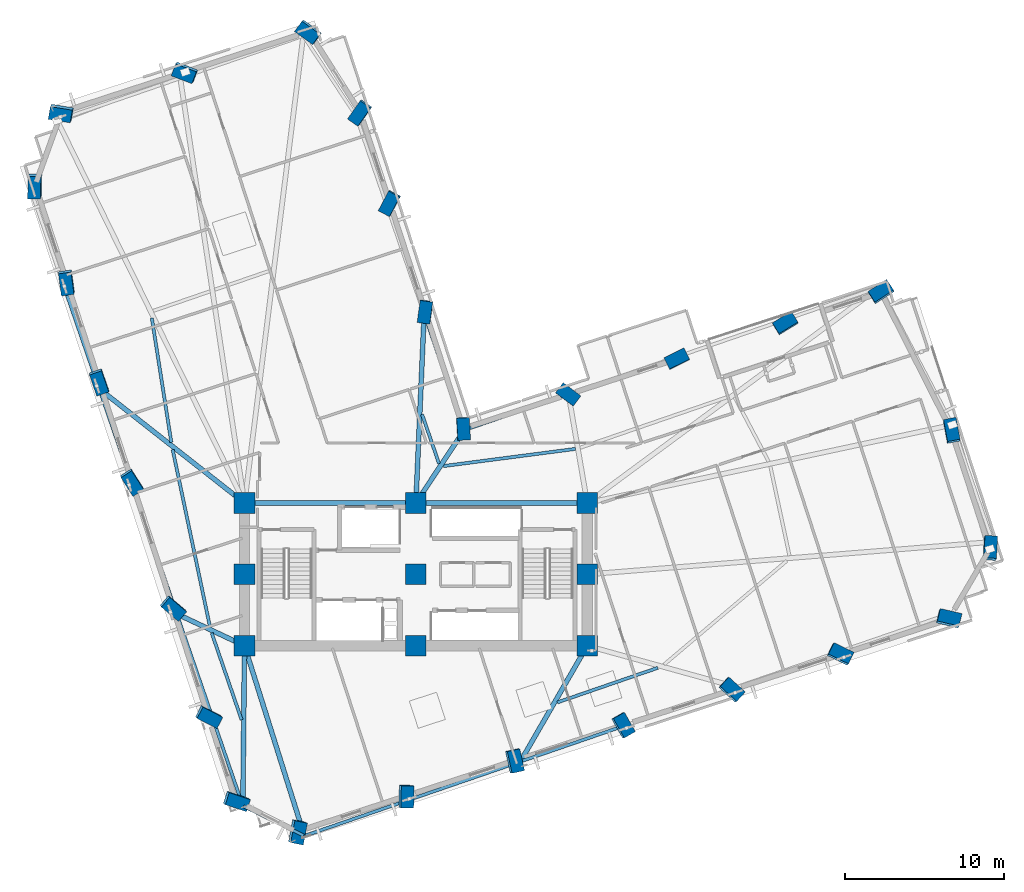
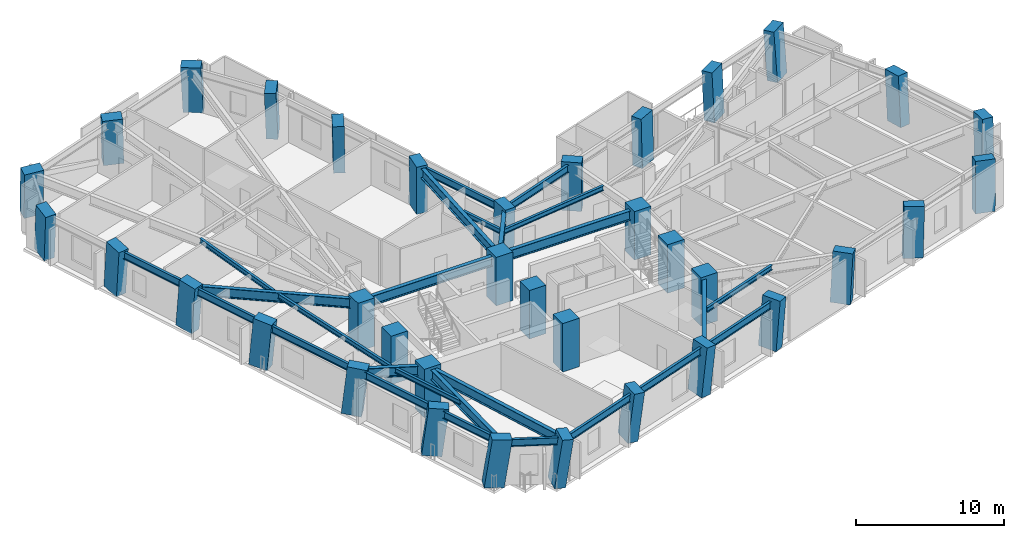
# One storey, part 1 of 16: 36 columns, 26 beams.
"""IFC4 building model written with IfcOpenShell, lengths in metres."""

from ifc_helpers import new_model, si_unit, direction, frame, origin, origin_2d, place, context, subcontext, project, spatial, rectangle, i_section, extrude, material, material_profile, profile_set, type_object, element, save


model = new_model("IFC4")

# Units and contexts
model_context = context("Model", 3, precision=1e-05, world=origin(), true_north=direction((0.0, 1.0)))
body_context = subcontext(model_context, "Body", "Model", "MODEL_VIEW")
ifc_project = project(units=[si_unit("LENGTHUNIT", "METRE"), si_unit("AREAUNIT", "SQUARE_METRE"), si_unit("VOLUMEUNIT", "CUBIC_METRE"), si_unit("PLANEANGLEUNIT", "RADIAN"), si_unit("MASSUNIT", "GRAM", prefix="KILO")], contexts=[model_context])

# Site, building, storey
site_placement = place(None, origin())
site = spatial("IfcSite", under=ifc_project, at=site_placement, CompositionType="ELEMENT")
building_placement = place(site_placement, origin())
building = spatial("IfcBuilding", under=site, at=building_placement, Name="Gaonmaruhae Medical Tower", CompositionType="ELEMENT")
storey_placement = place(building_placement, frame((0.0, 0.0, 100.39990234375)))
storey = spatial("IfcBuildingStorey", under=building, at=storey_placement, Name="L23", CompositionType="ELEMENT", Elevation=100.39990234375)

# Columns
ifc_material_1 = material(Name="Concrete C60/75", Category="concrete")
ifc_material_profile_1 = material_profile(ifc_material_1, rectangle(XDim=1.300048828125, YDim=1.300048828125, at=origin_2d()), Name="RC-1300x1300")
ifc_profile_set_1 = profile_set([ifc_material_profile_1], Name="Concrete C60/75")
column_type_1 = type_object("IfcColumnType", Name="CC-03 Zone 2 Core Column (RC-1300x1300)", PredefinedType="COLUMN", material=ifc_profile_set_1)
for number, where, z_axis, x_axis, name in (
    (1, (14.0, 7.800048828125, 0.0), (0.0, 0.0, 1.0), (1.0, 0.0, 0.0), "L23 Plumb Core Column CC11"),
    (2, (14.0, 12.300048828125, 0.0), (0.0, 0.0, 1.0), (1.0, 0.0, 0.0), "L23 Plumb Core Column CC12"),
    (3, (14.0, 16.800048828125, 0.0), (0.0, 0.0, 1.0), (1.0, 0.0, 0.0), "L23 Plumb Core Column CC13"),
    (4, (24.800048828125, 7.800048828125, 0.0), (0.0, 0.0, 1.0), (1.0, 0.0, 0.0), "L23 Plumb Core Column CC21"),
    (5, (24.800048828125, 12.300048828125, 0.0), (0.0, 0.0, 1.0), (1.0, 0.0, 0.0), "L23 Plumb Core Column CC22"),
    (6, (24.800048828125, 16.800048828125, 0.0), (0.0, 0.0, 1.0), (1.0, 0.0, 0.0), "L23 Plumb Core Column CC23"),
    (7, (35.60009765625, 7.800048828125, 0.0), (0.0, 0.0, 1.0), (1.0, 0.0, 0.0), "L23 Plumb Core Column CC31"),
    (8, (35.60009765625, 12.300048828125, 0.0), (0.0, 0.0, 1.0), (1.0, 0.0, 0.0), "L23 Plumb Core Column CC32"),
    (9, (35.60009765625, 16.800048828125, 0.0), (0.0, 0.0, 1.0), (1.0, 0.0, 0.0), "L23 Plumb Core Column CC33"),
):
    element("IfcColumn", number, at=place(storey_placement, frame(where, z_axis=z_axis, x_axis=x_axis)), inside=storey, type_object=column_type_1, Name=name, PredefinedType="COLUMN", context=body_context, shape_type="SweptSolid", body=[
        extrude(rectangle(XDim=1.300048828125, YDim=1.300048828125, at=origin_2d()), origin(), (0.0, 0.0, 1.0), 4.0),
    ])
ifc_material_profile_2 = material_profile(ifc_material_1, rectangle(XDim=1.39990234375, YDim=0.800048828125, at=origin_2d()), Name="RC-1400x800")
ifc_profile_set_2 = profile_set([ifc_material_profile_2], Name="Concrete C60/75")
column_type_2 = type_object("IfcColumnType", Name="TC-02 Mid Raking Tube Pier Column (RC-1400x800)", PredefinedType="COLUMN", material=ifc_profile_set_2)
column_1_placement = place(storey_placement, frame((17.295166015625, -3.915283203125, 0.001953125), z_axis=(0.118450775207, -0.066034642694, 0.990761747252), x_axis=(0.194834641079, 0.979935619434, 0.042019571642)))
element("IfcColumn", 10, at=column_1_placement, inside=storey, type_object=column_type_2, Name="L23 Perimeter Tube Column S01", PredefinedType="COLUMN", context=body_context, shape_type="SweptSolid", body=[
    extrude(rectangle(XDim=1.39990234375, YDim=0.800048828125, at=origin_2d()), origin(), (0.0, 0.0, 1.0), 4.03369140625),
])
column_2_placement = place(storey_placement, frame((24.140869140625, -1.684326171875, 0.001953125), z_axis=(0.109345849117, -0.038046530187, 0.99327536304), x_axis=(0.021779112876, 0.999119018605, 0.035872787786)))
element("IfcColumn", 11, at=column_2_placement, inside=storey, type_object=column_type_2, Name="L23 Perimeter Tube Column S02", PredefinedType="COLUMN", context=body_context, shape_type="SweptSolid", body=[
    extrude(rectangle(XDim=1.39990234375, YDim=0.800048828125, at=origin_2d()), origin(), (0.0, 0.0, 1.0), 4.0234375),
])
column_3_placement = place(storey_placement, frame((30.986328125, 0.546630859375, 0.001953125), z_axis=(0.100106568416, -0.00996811003, 0.994926787127), x_axis=(-0.212549228586, 0.976653054141, 0.031171096607)))
element("IfcColumn", 12, at=column_3_placement, inside=storey, type_object=column_type_2, Name="L23 Perimeter Tube Column S03", PredefinedType="COLUMN", context=body_context, shape_type="SweptSolid", body=[
    extrude(rectangle(XDim=1.39990234375, YDim=0.800048828125, at=origin_2d()), origin(), (0.0, 0.0, 1.0), 4.0166015625),
])
column_4_placement = place(storey_placement, frame((37.83203125, 2.77734375, 0.001953125), z_axis=(0.090756503564, 0.018248626722, 0.995705902706), x_axis=(-0.489888231035, 0.871313250925, 0.028683442203)))
element("IfcColumn", 13, at=column_4_placement, inside=storey, type_object=column_type_2, Name="L23 Perimeter Tube Column S04", PredefinedType="COLUMN", context=body_context, shape_type="SweptSolid", body=[
    extrude(rectangle(XDim=1.39990234375, YDim=0.800048828125, at=origin_2d()), origin(), (0.0, 0.0, 1.0), 4.013671875),
])
column_5_placement = place(storey_placement, frame((44.677734375, 5.00830078125, 0.001953125), z_axis=(0.081259550756, 0.046407961996, 0.995611965815), x_axis=(-0.739401442167, 0.672640177904, 0.028994799376)))
element("IfcColumn", 14, at=column_5_placement, inside=storey, type_object=column_type_2, Name="L23 Perimeter Tube Column S05", PredefinedType="COLUMN", context=body_context, shape_type="SweptSolid", body=[
    extrude(rectangle(XDim=1.39990234375, YDim=0.800048828125, at=origin_2d()), origin(), (0.0, 0.0, 1.0), 4.013916015625),
])
column_6_placement = place(storey_placement, frame((51.5234375, 7.2392578125, 0.001953125), z_axis=(0.071761563641, 0.074495916193, 0.994635931612), x_axis=(-0.898565105275, 0.437668320266, 0.032049852079)))
element("IfcColumn", 15, at=column_6_placement, inside=storey, type_object=column_type_2, Name="L23 Perimeter Tube Column S06", PredefinedType="COLUMN", context=body_context, shape_type="SweptSolid", body=[
    extrude(rectangle(XDim=1.39990234375, YDim=0.800048828125, at=origin_2d()), origin(), (0.0, 0.0, 1.0), 4.017822265625),
])
column_7_placement = place(storey_placement, frame((58.368896484375, 9.47021484375, 0.001953125), z_axis=(0.062287627487, 0.102498627511, 0.992781085044), x_axis=(-0.972270727829, 0.230886401059, 0.037163175496)))
element("IfcColumn", 16, at=column_7_placement, inside=storey, type_object=column_type_2, Name="L23 Perimeter Tube Column S07", PredefinedType="COLUMN", context=body_context, shape_type="SweptSolid", body=[
    extrude(rectangle(XDim=1.39990234375, YDim=0.800048828125, at=origin_2d()), origin(), (0.0, 0.0, 1.0), 4.025390625),
])
column_8_placement = place(storey_placement, frame((60.97607421875, 13.89599609375, 0.001953125), z_axis=(0.043903862895, 0.112973614052, 0.992627530019), x_axis=(-0.053058431268, -0.991919647374, 0.115239819616)))
element("IfcColumn", 17, at=column_8_placement, inside=storey, type_object=column_type_2, Name="L23 Perimeter Tube Column E01", PredefinedType="COLUMN", context=body_context, shape_type="SweptSolid", body=[
    extrude(rectangle(XDim=1.39990234375, YDim=0.800048828125, at=origin_2d()), origin(), (0.0, 0.0, 1.0), 4.026123046875),
])
column_9_placement = place(storey_placement, frame((58.55908203125, 21.31201171875, 0.001953125), z_axis=(0.013549612723, 0.102989208816, 0.994590182368), x_axis=(0.183850511689, -0.977979831198, 0.098764564101)))
element("IfcColumn", 18, at=column_9_placement, inside=storey, type_object=column_type_2, Name="L23 Perimeter Tube Column E02", PredefinedType="COLUMN", context=body_context, shape_type="SweptSolid", body=[
    extrude(rectangle(XDim=1.39990234375, YDim=0.800048828125, at=origin_2d()), origin(), (0.0, 0.0, 1.0), 4.01806640625),
])
column_10_placement = place(storey_placement, frame((54.12744140625, 30.06982421875, 0.001953125), z_axis=(-0.02245610829, 0.084590760225, 0.99616270081), x_axis=(-0.839761275126, -0.542278170496, 0.027118012491)))
element("IfcColumn", 19, at=column_10_placement, inside=storey, type_object=column_type_2, Name="L23 Perimeter Tube Column E03", PredefinedType="COLUMN", context=body_context, shape_type="SweptSolid", body=[
    extrude(rectangle(XDim=1.39990234375, YDim=0.800048828125, at=origin_2d()), origin(), (0.0, 0.0, 1.0), 4.01171875),
])
column_11_placement = place(storey_placement, frame((48.08984375, 28.102294921875, 0.001953125), z_axis=(-0.014146332364, 0.059817034695, 0.998109114096), x_axis=(-0.854089030519, -0.519778031459, 0.019045365861)))
element("IfcColumn", 20, at=column_11_placement, inside=storey, type_object=column_type_2, Name="L23 Perimeter Tube Column EN01", PredefinedType="COLUMN", context=body_context, shape_type="SweptSolid", body=[
    extrude(rectangle(XDim=1.39990234375, YDim=0.800048828125, at=origin_2d()), origin(), (0.0, 0.0, 1.0), 4.00390625),
])
column_12_placement = place(storey_placement, frame((41.244384765625, 25.871337890625, 0.001953125), z_axis=(-0.004701608145, 0.03162900025, 0.999488619857), x_axis=(-0.894918501832, -0.446119614033, 0.009907827933)))
element("IfcColumn", 21, at=column_12_placement, inside=storey, type_object=column_type_2, Name="L23 Perimeter Tube Column EN02", PredefinedType="COLUMN", context=body_context, shape_type="SweptSolid", body=[
    extrude(rectangle(XDim=1.39990234375, YDim=0.800048828125, at=origin_2d()), origin(), (0.0, 0.0, 1.0), 3.998291015625),
])
column_13_placement = place(storey_placement, frame((34.398681640625, 23.640380859375, 0.001953125), z_axis=(0.004765023776, 0.003359952663, 0.999983002489), x_axis=(-0.801131940554, 0.598485045893, 0.001806562028)))
element("IfcColumn", 22, at=column_13_placement, inside=storey, type_object=column_type_2, Name="L23 Perimeter Tube Column EN03", PredefinedType="COLUMN", context=body_context, shape_type="SweptSolid", body=[
    extrude(rectangle(XDim=1.39990234375, YDim=0.800048828125, at=origin_2d()), origin(), (0.0, 0.0, 1.0), 3.996337890625),
])
column_14_placement = place(storey_placement, frame((27.790771484375, 21.48681640625, 0.001953125), z_axis=(0.013923425681, -0.023938521346, 0.999616469159), x_axis=(-0.056236528656, 0.998112250156, 0.0246858043)))
element("IfcColumn", 23, at=column_14_placement, inside=storey, type_object=column_type_2, Name="L23 Perimeter Tube Column KN01", PredefinedType="COLUMN", context=body_context, shape_type="SweptSolid", body=[
    extrude(rectangle(XDim=1.39990234375, YDim=0.800048828125, at=origin_2d()), origin(), (0.0, 0.0, 1.0), 3.997802734375),
])
column_15_placement = place(storey_placement, frame((25.389404296875, 28.85546875, 0.001953125), z_axis=(-0.016543774751, -0.034125350869, 0.999280623221), x_axis=(0.135656548202, 0.99009956207, 0.036057705404)))
element("IfcColumn", 24, at=column_15_placement, inside=storey, type_object=column_type_2, Name="L23 Perimeter Tube Column NE01", PredefinedType="COLUMN", context=body_context, shape_type="SweptSolid", body=[
    extrude(rectangle(XDim=1.39990234375, YDim=0.800048828125, at=origin_2d()), origin(), (0.0, 0.0, 1.0), 3.999267578125),
])
column_16_placement = place(storey_placement, frame((23.158447265625, 35.701171875, 0.001953125), z_axis=(-0.044753257144, -0.043594794084, 0.998046411698), x_axis=(0.463530801187, 0.884087426993, 0.059402169856)))
element("IfcColumn", 25, at=column_16_placement, inside=storey, type_object=column_type_2, Name="L23 Perimeter Tube Column NE02", PredefinedType="COLUMN", context=body_context, shape_type="SweptSolid", body=[
    extrude(rectangle(XDim=1.39990234375, YDim=0.800048828125, at=origin_2d()), origin(), (0.0, 0.0, 1.0), 4.004150390625),
])
column_17_placement = place(storey_placement, frame((21.29931640625, 41.40576171875, 0.001953125), z_axis=(-0.068172279111, -0.051372681759, 0.996350032835), x_axis=(0.570080774616, 0.817570088713, 0.081160707584)))
element("IfcColumn", 26, at=column_17_placement, inside=storey, type_object=column_type_2, Name="L23 Perimeter Tube Column NE03", PredefinedType="COLUMN", context=body_context, shape_type="SweptSolid", body=[
    extrude(rectangle(XDim=1.39990234375, YDim=0.800048828125, at=origin_2d()), origin(), (0.0, 0.0, 1.0), 4.010986328125),
])
column_18_placement = place(storey_placement, frame((18.060302734375, 46.503173828125, 0.001953125), z_axis=(-0.088834375416, -0.064788980566, 0.993937041136), x_axis=(0.809077584875, -0.586713593939, 0.034067878425)))
element("IfcColumn", 27, at=column_18_placement, inside=storey, type_object=column_type_2, Name="L23 Perimeter Tube Column N01", PredefinedType="COLUMN", context=body_context, shape_type="SweptSolid", body=[
    extrude(rectangle(XDim=1.39990234375, YDim=0.800048828125, at=origin_2d()), origin(), (0.0, 0.0, 1.0), 4.020751953125),
])
column_19_placement = place(storey_placement, frame((10.263916015625, 43.96240234375, 0.001953125), z_axis=(-0.078015566554, -0.096625340394, 0.992258592792), x_axis=(0.932899829968, -0.358074339032, 0.038479539664)))
element("IfcColumn", 28, at=column_19_placement, inside=storey, type_object=column_type_2, Name="L23 Perimeter Tube Column N02", PredefinedType="COLUMN", context=body_context, shape_type="SweptSolid", body=[
    extrude(rectangle(XDim=1.39990234375, YDim=0.800048828125, at=origin_2d()), origin(), (0.0, 0.0, 1.0), 4.027587890625),
])
column_20_placement = place(storey_placement, frame((2.467529296875, 41.421630859375, 0.001953125), z_axis=(-0.067096849195, -0.128269832425, 0.989466958982), x_axis=(0.984588836811, -0.169035568075, 0.044853084086)))
element("IfcColumn", 29, at=column_20_placement, inside=storey, type_object=column_type_2, Name="L23 Perimeter Tube Column N03", PredefinedType="COLUMN", context=body_context, shape_type="SweptSolid", body=[
    extrude(rectangle(XDim=1.39990234375, YDim=0.800048828125, at=origin_2d()), origin(), (0.0, 0.0, 1.0), 4.038818359375),
])
column_21_placement = place(storey_placement, frame((0.80810546875, 36.83154296875, 0.001953125), z_axis=(-0.048247451694, -0.134947759625, 0.989677364386), x_axis=(0.025024599325, 0.990356943468, 0.136260390255)))
element("IfcColumn", 30, at=column_21_placement, inside=storey, type_object=column_type_2, Name="L23 Perimeter Tube Column W01", PredefinedType="COLUMN", context=body_context, shape_type="SweptSolid", body=[
    extrude(rectangle(XDim=1.39990234375, YDim=0.800048828125, at=origin_2d()), origin(), (0.0, 0.0, 1.0), 4.0380859375),
])
column_22_placement = place(storey_placement, frame((2.791259765625, 30.746337890625, 0.001953125), z_axis=(-0.0233843297, -0.126796378401, 0.991653090324), x_axis=(-0.133707501978, 0.983409455822, 0.122589339317)))
element("IfcColumn", 31, at=column_22_placement, inside=storey, type_object=column_type_2, Name="L23 Perimeter Tube Column W02", PredefinedType="COLUMN", context=body_context, shape_type="SweptSolid", body=[
    extrude(rectangle(XDim=1.39990234375, YDim=0.800048828125, at=origin_2d()), origin(), (0.0, 0.0, 1.0), 4.030029296875),
])
column_23_placement = place(storey_placement, frame((4.836181640625, 24.47119140625, 0.001953125), z_axis=(0.002365800756, -0.118350699345, 0.992969040278), x_axis=(-0.328653525962, 0.937720451022, 0.112548725485)))
element("IfcColumn", 32, at=column_23_placement, inside=storey, type_object=column_type_2, Name="L23 Perimeter Tube Column W03", PredefinedType="COLUMN", context=body_context, shape_type="SweptSolid", body=[
    extrude(rectangle(XDim=1.39990234375, YDim=0.800048828125, at=origin_2d()), origin(), (0.0, 0.0, 1.0), 4.024658203125),
])
column_24_placement = place(storey_placement, frame((6.896728515625, 18.1484375, 0.001953125), z_axis=(0.028285043341, -0.109741112361, 0.993557670486), x_axis=(-0.535815583554, 0.837431497427, 0.107750394605)))
element("IfcColumn", 33, at=column_24_placement, inside=storey, type_object=column_type_2, Name="L23 Perimeter Tube Column W04", PredefinedType="COLUMN", context=body_context, shape_type="SweptSolid", body=[
    extrude(rectangle(XDim=1.39990234375, YDim=0.800048828125, at=origin_2d()), origin(), (0.0, 0.0, 1.0), 4.022216796875),
])
column_25_placement = place(storey_placement, frame((9.484130859375, 10.20947265625, 0.001953125), z_axis=(0.060860512795, -0.098784561146, 0.993245995945), x_axis=(-0.75915259844, 0.641496218558, 0.110317423181)))
element("IfcColumn", 34, at=column_25_placement, inside=storey, type_object=column_type_2, Name="L23 Perimeter Tube Column W05", PredefinedType="COLUMN", context=body_context, shape_type="SweptSolid", body=[
    extrude(rectangle(XDim=1.39990234375, YDim=0.800048828125, at=origin_2d()), origin(), (0.0, 0.0, 1.0), 4.0234375),
])
column_26_placement = place(storey_placement, frame((11.715087890625, 3.36376953125, 0.001953125), z_axis=(0.088846356151, -0.089270588411, 0.992036837544), x_axis=(-0.884979467784, 0.4499681639, 0.119749710135)))
element("IfcColumn", 35, at=column_26_placement, inside=storey, type_object=column_type_2, Name="L23 Perimeter Tube Column W06", PredefinedType="COLUMN", context=body_context, shape_type="SweptSolid", body=[
    extrude(rectangle(XDim=1.39990234375, YDim=0.800048828125, at=origin_2d()), origin(), (0.0, 0.0, 1.0), 4.0283203125),
])
column_27_placement = place(storey_placement, frame((13.4501953125, -1.96044921875, 0.001953125), z_axis=(0.110552253657, -0.081870388176, 0.990492523319), x_axis=(-0.941213572528, 0.311463165143, 0.130796435912)))
element("IfcColumn", 36, at=column_27_placement, inside=storey, type_object=column_type_2, Name="L23 Perimeter Tube Column W07", PredefinedType="COLUMN", context=body_context, shape_type="SweptSolid", body=[
    extrude(rectangle(XDim=1.39990234375, YDim=0.800048828125, at=origin_2d()), origin(), (0.0, 0.0, 1.0), 4.03466796875),
])

# Beams
ifc_material_2 = material(Name="Steel SM355", Category="steel")
ifc_material_profile_3 = material_profile(ifc_material_2, i_section(OverallWidth=0.199951171875, OverallDepth=0.39990234375, WebThickness=0.008056640625, FlangeThickness=0.012939453125, FilletRadius=0.012939453125, at=origin_2d()), Name="H-400x200x8x13")
ifc_profile_set_3 = profile_set([ifc_material_profile_3], Name="Steel SM355")
beam_type_1 = type_object("IfcBeamType", Name="FJ-01 Lower Zone Ward Floor Joist (H-400x200x8x13)", PredefinedType="JOIST", material=ifc_profile_set_3)
beam_1_placement = place(storey_placement, frame((33.716064453125, 4.229736328125, 3.580078125), z_axis=(0.94552286425, 0.325555699046, 0.0), x_axis=(-0.325555699046, 0.94552286425, 0.0)))
element("IfcBeam", 37, at=beam_1_placement, inside=storey, type_object=beam_type_1, Name="L23 Secondary Floor Joist FJ02", PredefinedType="JOIST", context=body_context, shape_type="SweptSolid", body=[
    extrude(i_section(OverallWidth=0.199951171875, OverallDepth=0.39990234375, WebThickness=0.008056640625, FlangeThickness=0.012939453125, FilletRadius=0.012939453125, at=origin_2d()), origin(), (0.0, 0.0, 1.0), 6.694580078125),
])
beam_2_placement = place(storey_placement, frame((34.85400390625, 20.206787109375, 3.580078125), z_axis=(-0.99162373789, -0.129160220089, 0.0), x_axis=(0.129160220089, -0.99162373789, 0.0)))
element("IfcBeam", 38, at=beam_2_placement, inside=storey, type_object=beam_type_1, Name="L23 Secondary Floor Joist FJ07", PredefinedType="JOIST", context=body_context, shape_type="SweptSolid", body=[
    extrude(i_section(OverallWidth=0.199951171875, OverallDepth=0.39990234375, WebThickness=0.008056640625, FlangeThickness=0.012939453125, FilletRadius=0.012939453125, at=origin_2d()), origin(), (0.0, 0.0, 1.0), 8.398193359375),
])
beam_3_placement = place(storey_placement, frame((26.259765625, 19.27978515625, 3.580078125), z_axis=(-0.325547854259, 0.945525565274, 0.0), x_axis=(-0.945525565274, -0.325547854259, 0.0)))
element("IfcBeam", 39, at=beam_3_placement, inside=storey, type_object=beam_type_1, Name="L23 Secondary Floor Joist FJ08", PredefinedType="JOIST", context=body_context, shape_type="SweptSolid", body=[
    extrude(i_section(OverallWidth=0.199951171875, OverallDepth=0.39990234375, WebThickness=0.008056640625, FlangeThickness=0.012939453125, FilletRadius=0.012939453125, at=origin_2d()), origin(), (0.0, 0.0, 1.0), 3.279541015625),
])
beam_4_placement = place(storey_placement, frame((8.16015625, 28.455810546875, 3.580078125), z_axis=(0.154786314561, -0.987947972732, 0.0), x_axis=(0.987947972732, 0.154786314561, 0.0)))
element("IfcBeam", 40, at=beam_4_placement, inside=storey, type_object=beam_type_1, Name="L23 Secondary Floor Joist FJ12", PredefinedType="JOIST", context=body_context, shape_type="SweptSolid", body=[
    extrude(i_section(OverallWidth=0.199951171875, OverallDepth=0.39990234375, WebThickness=0.008056640625, FlangeThickness=0.012939453125, FilletRadius=0.012939453125, at=origin_2d()), origin(), (0.0, 0.0, 1.0), 7.930419921875),
])
beam_5_placement = place(storey_placement, frame((9.47216796875, 20.162841796875, 3.580078125), z_axis=(0.206123687832, -0.978525945141, 0.0), x_axis=(0.978525945141, 0.206123687832, 0.0)))
element("IfcBeam", 41, at=beam_5_placement, inside=storey, type_object=beam_type_1, Name="L23 Secondary Floor Joist FJ13", PredefinedType="JOIST", context=body_context, shape_type="SweptSolid", body=[
    extrude(i_section(OverallWidth=0.199951171875, OverallDepth=0.39990234375, WebThickness=0.008056640625, FlangeThickness=0.012939453125, FilletRadius=0.012939453125, at=origin_2d()), origin(), (0.0, 0.0, 1.0), 11.412109375),
])
beam_6_placement = place(storey_placement, frame((11.9345703125, 8.602294921875, 3.580078125), z_axis=(0.325608209505, -0.945504782591, 0.0), x_axis=(0.945504782591, 0.325608209505, 0.0)))
element("IfcBeam", 42, at=beam_6_placement, inside=storey, type_object=beam_type_1, Name="L23 Secondary Floor Joist FJ14", PredefinedType="JOIST", context=body_context, shape_type="SweptSolid", body=[
    extrude(i_section(OverallWidth=0.199951171875, OverallDepth=0.39990234375, WebThickness=0.008056640625, FlangeThickness=0.012939453125, FilletRadius=0.012939453125, at=origin_2d()), origin(), (0.0, 0.0, 1.0), 5.783935546875),
])
ifc_material_3 = material(Name="Steel SM420", Category="steel")
ifc_material_profile_4 = material_profile(ifc_material_3, i_section(OverallWidth=0.300048828125, OverallDepth=0.800048828125, WebThickness=0.013916015625, FlangeThickness=0.02587890625, FilletRadius=0.01806640625, at=origin_2d()), Name="H-800x300x14x26")
ifc_profile_set_4 = profile_set([ifc_material_profile_4], Name="Steel SM420")
beam_type_2 = type_object("IfcBeamType", Name="PG-02 Zone 2 Radial Floor Girder (H-800x300x14x26)", PredefinedType="BEAM", material=ifc_profile_set_4)
for number, where, z_axis, x_axis, name in (
    (43, (14.050048828125, 16.800048828125, 3.380126953125), (1.0, 0.0, 0.0), (0.0, 1.0, 0.0), "L23 Beam BM-L23-CG-N1"),
    (44, (24.85009765625, 16.800048828125, 3.380126953125), (1.0, 0.0, 0.0), (0.0, 1.0, 0.0), "L23 Beam BM-L23-CG-N2"),
):
    element("IfcBeam", number, at=place(storey_placement, frame(where, z_axis=z_axis, x_axis=x_axis)), inside=storey, type_object=beam_type_2, Name=name, PredefinedType="BEAM", context=body_context, shape_type="SweptSolid", body=[
        extrude(i_section(OverallWidth=0.300048828125, OverallDepth=0.800048828125, WebThickness=0.013916015625, FlangeThickness=0.02587890625, FilletRadius=0.01806640625, at=origin_2d()), origin(), (0.0, 0.0, 1.0), 10.699951171875),
    ])
beam_7_placement = place(storey_placement, frame((14.01513671875, 7.752197265625, 3.380126953125), z_axis=(0.300373677176, -0.953821604945, 0.0), x_axis=(0.953821604945, 0.300373677176, 0.0)))
element("IfcBeam", 45, at=beam_7_placement, inside=storey, type_object=beam_type_2, Name="L23 Radial Primary Girder S01", PredefinedType="BEAM", context=body_context, shape_type="SweptSolid", body=[
    extrude(i_section(OverallWidth=0.300048828125, OverallDepth=0.800048828125, WebThickness=0.013916015625, FlangeThickness=0.02587890625, FilletRadius=0.01806640625, at=origin_2d()), origin(), (0.0, 0.0, 1.0), 12.461669921875),
])
beam_8_placement = place(storey_placement, frame((35.574951171875, 7.756591796875, 3.380126953125), z_axis=(-0.500026346288, -0.866010192213, 0.0), x_axis=(0.866010192213, -0.500026346288, 0.0)))
element("IfcBeam", 46, at=beam_8_placement, inside=storey, type_object=beam_type_2, Name="L23 Radial Primary Girder S03", PredefinedType="BEAM", context=body_context, shape_type="SweptSolid", body=[
    extrude(i_section(OverallWidth=0.300048828125, OverallDepth=0.800048828125, WebThickness=0.013916015625, FlangeThickness=0.02587890625, FilletRadius=0.01806640625, at=origin_2d()), origin(), (0.0, 0.0, 1.0), 8.32177734375),
])
beam_9_placement = place(storey_placement, frame((24.82763671875, 16.841552734375, 3.380126953125), z_axis=(0.55287634505, 0.833263311975, 0.0), x_axis=(-0.833263311975, 0.55287634505, 0.0)))
element("IfcBeam", 47, at=beam_9_placement, inside=storey, type_object=beam_type_2, Name="L23 Radial Primary Girder KN01", PredefinedType="BEAM", context=body_context, shape_type="SweptSolid", body=[
    extrude(i_section(OverallWidth=0.300048828125, OverallDepth=0.800048828125, WebThickness=0.013916015625, FlangeThickness=0.02587890625, FilletRadius=0.01806640625, at=origin_2d()), origin(), (0.0, 0.0, 1.0), 5.409912109375),
])
beam_10_placement = place(storey_placement, frame((24.80224609375, 16.849853515625, 3.380126953125), z_axis=(0.0438527558, 0.999038005187, 0.0), x_axis=(-0.999038005187, 0.0438527558, 0.0)))
element("IfcBeam", 48, at=beam_10_placement, inside=storey, type_object=beam_type_2, Name="L23 Radial Primary Girder NE01", PredefinedType="BEAM", context=body_context, shape_type="SweptSolid", body=[
    extrude(i_section(OverallWidth=0.300048828125, OverallDepth=0.800048828125, WebThickness=0.013916015625, FlangeThickness=0.02587890625, FilletRadius=0.01806640625, at=origin_2d()), origin(), (0.0, 0.0, 1.0), 11.83056640625),
])
beam_11_placement = place(storey_placement, frame((13.960693359375, 16.830810546875, 3.380126953125), z_axis=(-0.786237601055, 0.617924295272, 0.0), x_axis=(-0.617924295272, -0.786237601055, 0.0)))
element("IfcBeam", 49, at=beam_11_placement, inside=storey, type_object=beam_type_2, Name="L23 Radial Primary Girder W03", PredefinedType="BEAM", context=body_context, shape_type="SweptSolid", body=[
    extrude(i_section(OverallWidth=0.300048828125, OverallDepth=0.800048828125, WebThickness=0.013916015625, FlangeThickness=0.02587890625, FilletRadius=0.01806640625, at=origin_2d()), origin(), (0.0, 0.0, 1.0), 11.543212890625),
])
beam_12_placement = place(storey_placement, frame((13.954833984375, 7.8212890625, 3.380126953125), z_axis=(-0.904653401095, 0.426148124349, 0.0), x_axis=(-0.426148124349, -0.904653401095, 0.0)))
element("IfcBeam", 50, at=beam_12_placement, inside=storey, type_object=beam_type_2, Name="L23 Radial Primary Girder W05", PredefinedType="BEAM", context=body_context, shape_type="SweptSolid", body=[
    extrude(i_section(OverallWidth=0.300048828125, OverallDepth=0.800048828125, WebThickness=0.013916015625, FlangeThickness=0.02587890625, FilletRadius=0.01806640625, at=origin_2d()), origin(), (0.0, 0.0, 1.0), 4.62109375),
])
beam_13_placement = place(storey_placement, frame((13.99951171875, 7.75, 3.380126953125), z_axis=(-0.010262887463, -0.999947335184, 0.0), x_axis=(0.999947335184, -0.010262887463, 0.0)))
element("IfcBeam", 51, at=beam_13_placement, inside=storey, type_object=beam_type_2, Name="L23 Radial Primary Girder W07", PredefinedType="BEAM", context=body_context, shape_type="SweptSolid", body=[
    extrude(i_section(OverallWidth=0.300048828125, OverallDepth=0.800048828125, WebThickness=0.013916015625, FlangeThickness=0.02587890625, FilletRadius=0.01806640625, at=origin_2d()), origin(), (0.0, 0.0, 1.0), 9.9912109375),
])
ifc_material_profile_5 = material_profile(ifc_material_2, i_section(OverallWidth=0.199951171875, OverallDepth=0.60009765625, WebThickness=0.010986328125, FlangeThickness=0.01708984375, FilletRadius=0.012939453125, at=origin_2d()), Name="H-600x200x11x17")
ifc_profile_set_5 = profile_set([ifc_material_profile_5], Name="Steel SM355")
beam_type_3 = type_object("IfcBeamType", Name="SP-01 Lower Perimeter Spandrel Beam (H-600x200x11x17)", PredefinedType="SPANDREL", material=ifc_profile_set_5)
beam_14_placement = place(storey_placement, frame((17.81103515625, -4.168701171875, 3.47998046875), z_axis=(0.945516822755, 0.325573245043, 0.0), x_axis=(-0.325573245043, 0.945516822755, 0.0)))
element("IfcBeam", 52, at=beam_14_placement, inside=storey, type_object=beam_type_3, Name="L23 Perimeter Spandrel Beam S01-S02", PredefinedType="SPANDREL", context=body_context, shape_type="SweptSolid", body=[
    extrude(i_section(OverallWidth=0.199951171875, OverallDepth=0.60009765625, WebThickness=0.010986328125, FlangeThickness=0.01708984375, FilletRadius=0.012939453125, at=origin_2d()), origin(), (0.0, 0.0, 1.0), 7.1201171875),
])
beam_15_placement = place(storey_placement, frame((24.618896484375, -1.824462890625, 3.47998046875), z_axis=(0.945523743616, 0.32555314506, 0.0), x_axis=(-0.32555314506, 0.945523743616, 0.0)))
element("IfcBeam", 53, at=beam_15_placement, inside=storey, type_object=beam_type_3, Name="L23 Perimeter Spandrel Beam S02-S03", PredefinedType="SPANDREL", context=body_context, shape_type="SweptSolid", body=[
    extrude(i_section(OverallWidth=0.199951171875, OverallDepth=0.60009765625, WebThickness=0.010986328125, FlangeThickness=0.01708984375, FilletRadius=0.012939453125, at=origin_2d()), origin(), (0.0, 0.0, 1.0), 7.119873046875),
])
beam_16_placement = place(storey_placement, frame((31.426513671875, 0.51953125, 3.47998046875), z_axis=(0.945516822755, 0.325573245043, 0.0), x_axis=(-0.325573245043, 0.945516822755, 0.0)))
element("IfcBeam", 54, at=beam_16_placement, inside=storey, type_object=beam_type_3, Name="L23 Perimeter Spandrel Beam S03-S04", PredefinedType="SPANDREL", context=body_context, shape_type="SweptSolid", body=[
    extrude(i_section(OverallWidth=0.199951171875, OverallDepth=0.60009765625, WebThickness=0.010986328125, FlangeThickness=0.01708984375, FilletRadius=0.012939453125, at=origin_2d()), origin(), (0.0, 0.0, 1.0), 7.1201171875),
])
beam_17_placement = place(storey_placement, frame((34.3798828125, 23.640869140625, 3.47998046875), z_axis=(-0.945509610075, -0.325594191066, 0.0), x_axis=(0.325594191066, -0.945509610075, 0.0)))
element("IfcBeam", 55, at=beam_17_placement, inside=storey, type_object=beam_type_3, Name="L23 Perimeter Spandrel Beam EN03-KN01", PredefinedType="SPANDREL", context=body_context, shape_type="SweptSolid", body=[
    extrude(i_section(OverallWidth=0.199951171875, OverallDepth=0.60009765625, WebThickness=0.010986328125, FlangeThickness=0.01708984375, FilletRadius=0.012939453125, at=origin_2d()), origin(), (0.0, 0.0, 1.0), 6.869873046875),
])
beam_18_placement = place(storey_placement, frame((27.833251953125, 21.428955078125, 3.47998046875), z_axis=(-0.325570788893, 0.945517668486, 0.0), x_axis=(-0.945517668486, -0.325570788893, 0.0)))
element("IfcBeam", 56, at=beam_18_placement, inside=storey, type_object=beam_type_3, Name="L23 Perimeter Spandrel Beam KN01-NE01", PredefinedType="SPANDREL", context=body_context, shape_type="SweptSolid", body=[
    extrude(i_section(OverallWidth=0.199951171875, OverallDepth=0.60009765625, WebThickness=0.010986328125, FlangeThickness=0.01708984375, FilletRadius=0.012939453125, at=origin_2d()), origin(), (0.0, 0.0, 1.0), 7.669921875),
])
beam_19_placement = place(storey_placement, frame((2.7099609375, 30.197265625, 3.47998046875), z_axis=(0.325547514248, -0.945525682341, 0.0), x_axis=(0.945525682341, 0.325547514248, 0.0)))
element("IfcBeam", 57, at=beam_19_placement, inside=storey, type_object=beam_type_3, Name="L23 Perimeter Spandrel Beam W02-W03", PredefinedType="SPANDREL", context=body_context, shape_type="SweptSolid", body=[
    extrude(i_section(OverallWidth=0.199951171875, OverallDepth=0.60009765625, WebThickness=0.010986328125, FlangeThickness=0.01708984375, FilletRadius=0.012939453125, at=origin_2d()), origin(), (0.0, 0.0, 1.0), 6.52001953125),
])
beam_20_placement = place(storey_placement, frame((4.858642578125, 23.956787109375, 3.47998046875), z_axis=(0.325554330583, -0.945523335428, 0.0), x_axis=(0.945523335428, 0.325554330583, 0.0)))
element("IfcBeam", 58, at=beam_20_placement, inside=storey, type_object=beam_type_3, Name="L23 Perimeter Spandrel Beam W03-W04", PredefinedType="SPANDREL", context=body_context, shape_type="SweptSolid", body=[
    extrude(i_section(OverallWidth=0.199951171875, OverallDepth=0.60009765625, WebThickness=0.010986328125, FlangeThickness=0.01708984375, FilletRadius=0.012939453125, at=origin_2d()), origin(), (0.0, 0.0, 1.0), 6.570068359375),
])
beam_21_placement = place(storey_placement, frame((7.023681640625, 17.669189453125, 3.47998046875), z_axis=(0.325555773355, -0.945522838664, 0.0), x_axis=(0.945522838664, 0.325555773355, 0.0)))
element("IfcBeam", 59, at=beam_21_placement, inside=storey, type_object=beam_type_3, Name="L23 Perimeter Spandrel Beam W04-W05", PredefinedType="SPANDREL", context=body_context, shape_type="SweptSolid", body=[
    extrude(i_section(OverallWidth=0.199951171875, OverallDepth=0.60009765625, WebThickness=0.010986328125, FlangeThickness=0.01708984375, FilletRadius=0.012939453125, at=origin_2d()), origin(), (0.0, 0.0, 1.0), 8.27001953125),
])
beam_22_placement = place(storey_placement, frame((9.7421875, 9.77392578125, 3.47998046875), z_axis=(0.325583800692, -0.945513188024, 0.0), x_axis=(0.945513188024, 0.325583800692, 0.0)))
element("IfcBeam", 60, at=beam_22_placement, inside=storey, type_object=beam_type_3, Name="L23 Perimeter Spandrel Beam W05-W06", PredefinedType="SPANDREL", context=body_context, shape_type="SweptSolid", body=[
    extrude(i_section(OverallWidth=0.199951171875, OverallDepth=0.60009765625, WebThickness=0.010986328125, FlangeThickness=0.01708984375, FilletRadius=0.012939453125, at=origin_2d()), origin(), (0.0, 0.0, 1.0), 7.119873046875),
])
beam_23_placement = place(storey_placement, frame((12.086181640625, 2.96630859375, 3.47998046875), z_axis=(0.325566742189, -0.945519061881, 0.0), x_axis=(0.945519061881, 0.325566742189, 0.0)))
element("IfcBeam", 61, at=beam_23_placement, inside=storey, type_object=beam_type_3, Name="L23 Perimeter Spandrel Beam W06-W07", PredefinedType="SPANDREL", context=body_context, shape_type="SweptSolid", body=[
    extrude(i_section(OverallWidth=0.199951171875, OverallDepth=0.60009765625, WebThickness=0.010986328125, FlangeThickness=0.01708984375, FilletRadius=0.012939453125, at=origin_2d()), origin(), (0.0, 0.0, 1.0), 5.52001953125),
])
beam_24_placement = place(storey_placement, frame((13.932373046875, -2.308349609375, 3.47998046875), z_axis=(0.898801144573, -0.438356592871, 0.0), x_axis=(0.438356592871, 0.898801144573, 0.0)))
element("IfcBeam", 62, at=beam_24_placement, inside=storey, type_object=beam_type_3, Name="L23 Perimeter Spandrel Beam W07-S01", PredefinedType="SPANDREL", context=body_context, shape_type="SweptSolid", body=[
    extrude(i_section(OverallWidth=0.199951171875, OverallDepth=0.60009765625, WebThickness=0.010986328125, FlangeThickness=0.01708984375, FilletRadius=0.012939453125, at=origin_2d()), origin(), (0.0, 0.0, 1.0), 4.2333984375),
])

save(model, "model.ifc")
